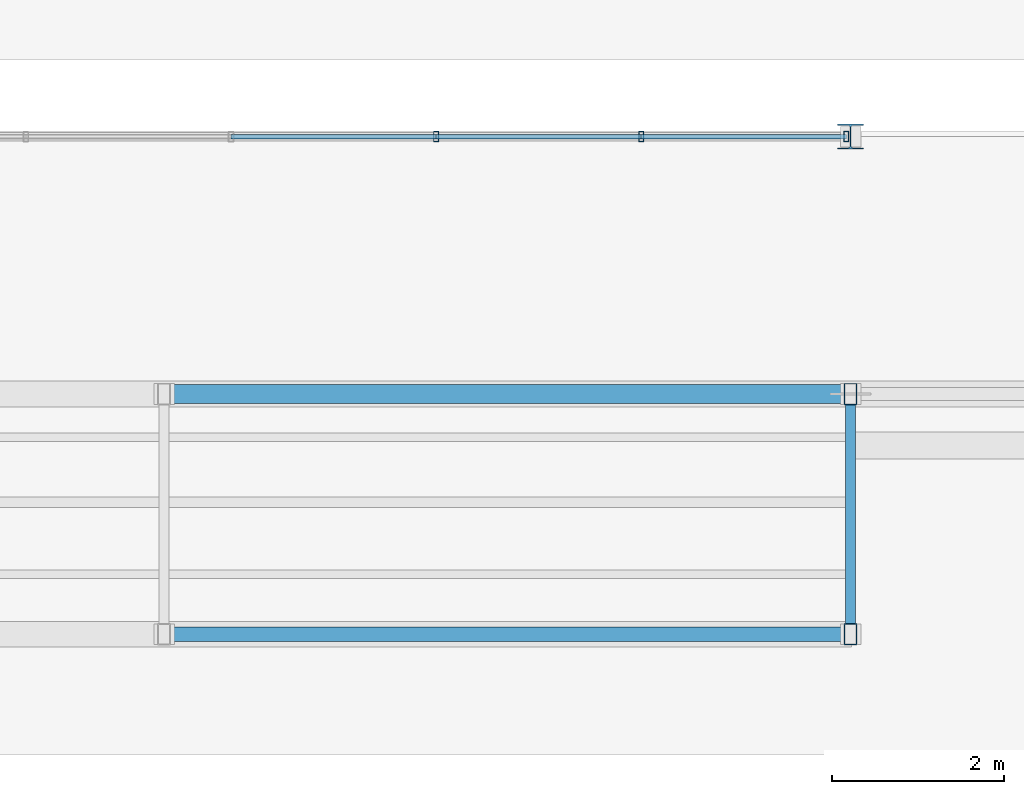
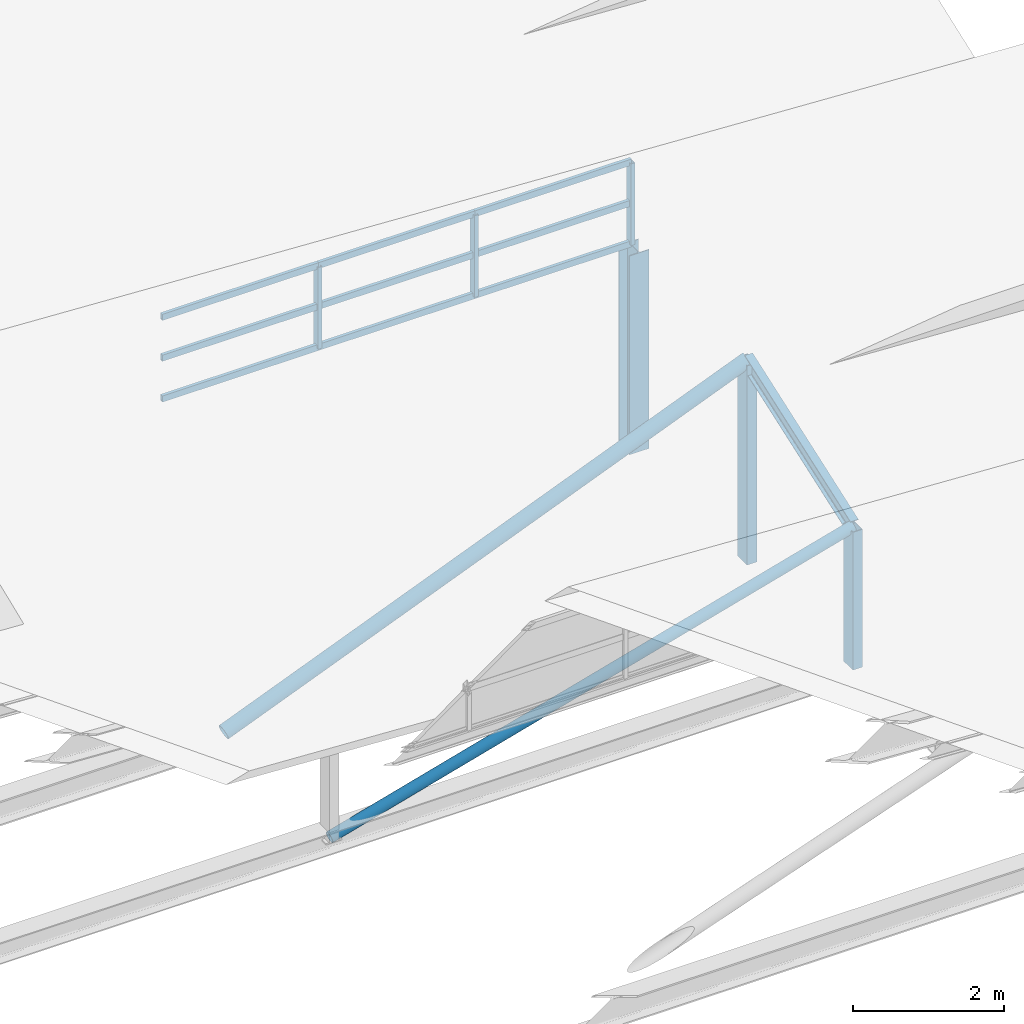
# One storey, part 68 of 141: 18 members, 1 element without a shape of its own.
"""IFC4 building model written with IfcOpenShell, lengths in metres."""

from ifc_helpers import new_model, si_unit, direction, frame, origin, origin_2d, place, context, subcontext, project, spatial, hollow_rectangle, hollow_circle, i_section, extrude, material, material_profile, profile_set, type_object, element, aggregate, save


model = new_model("IFC4")

# Units and contexts
model_context = context("Model", 3, precision=1e-05, world=origin(), true_north=direction((0.0, 1.0)))
body_context = subcontext(model_context, "Body", "Model", "MODEL_VIEW")
ifc_project = project(units=[si_unit("LENGTHUNIT", "METRE"), si_unit("AREAUNIT", "SQUARE_METRE"), si_unit("VOLUMEUNIT", "CUBIC_METRE"), si_unit("PLANEANGLEUNIT", "RADIAN"), si_unit("MASSUNIT", "GRAM", prefix="KILO")], contexts=[model_context])

# Site, building, storey
site_placement = place(None, origin())
site = spatial("IfcSite", under=ifc_project, at=site_placement, CompositionType="ELEMENT")
building_placement = place(site_placement, origin())
building = spatial("IfcBuilding", under=site, at=building_placement, Name="Sundkrona Museum", CompositionType="ELEMENT")
storey_placement = place(building_placement, frame((0.0, 0.0, 34.0)))
storey = spatial("IfcBuildingStorey", under=building, at=storey_placement, Name="RF", CompositionType="ELEMENT", Elevation=34.0)

# Member
ifc_material_1 = material(Name="Steel S355J2", Category="steel")
ifc_material_profile_1 = material_profile(ifc_material_1, i_section(OverallWidth=0.300048828125, OverallDepth=0.2900390625, WebThickness=0.008544921875, FlangeThickness=0.013916015625, FilletRadius=0.027099609375, at=origin_2d()), Name="HEA 300")
ifc_profile_set_1 = profile_set([ifc_material_profile_1], Name="Steel S355J2")
member_type_1 = type_object("IfcMemberType", Name="BR-HEA300", PredefinedType="BRACE", material=ifc_profile_set_1)
member_1_placement = place(storey_placement, frame((168.0, 18.39990234375, -0.25), z_axis=(0.0, 0.0, 1.0), x_axis=(1.0, 0.0, 0.0)))
element("IfcMember", 1, at=member_1_placement, inside=storey, type_object=member_type_1, Name="RFS-1 Sawtooth Bay 3 Clerestory Corner Post E", PredefinedType="BRACE", context=body_context, shape_type="SweptSolid", body=[
    extrude(i_section(OverallWidth=0.300048828125, OverallDepth=0.2900390625, WebThickness=0.008544921875, FlangeThickness=0.013916015625, FilletRadius=0.027099609375, at=origin_2d()), origin(), (0.0, 0.0, 1.0), 3.212890625),
])

# Curtain wall, members
ifc_material_2 = material(Name="Unitised Aluminium-Steel and Ceramic-Clad Curtain Walling", Category="steel")
curtain_wall_type = type_object("IfcCurtainWallType", Name="CW-SW-240x13", PredefinedType="NOTDEFINED", material=ifc_material_2)
curtain_wall_placement = place(storey_placement, origin())
curtain_wall = element("IfcCurtainWall", 2, at=curtain_wall_placement, inside=storey, type_object=curtain_wall_type, Name="Sawtooth Bay 3 East North-Light Clerestory", PredefinedType="NOTDEFINED")
ifc_material_3 = material(Name="Aluminium EN AW-6060 T66", Category="aluminium")
ifc_material_profile_2 = material_profile(ifc_material_3, hollow_rectangle(XDim=0.06005859375, YDim=0.1201171875, WallThickness=0.0048828125, at=origin_2d()), Name="RHS 120x60x5.0")
ifc_profile_set_2 = profile_set([ifc_material_profile_2], Name="Aluminium EN AW-6060 T66")
member_type_2 = type_object("IfcMemberType", Name="ML-120", PredefinedType="MULLION", material=ifc_profile_set_2)
member_2_placement = place(storey_placement, frame((163.169921875, 18.39990234375, 3.052978515625), z_axis=(0.0, 0.0, 1.0), x_axis=(1.0, 0.0, 0.0)))
member_2 = element("IfcMember", 3, at=member_2_placement, type_object=member_type_2, Name="CW-RF-SAW-03E Mullion 09", PredefinedType="MULLION", context=body_context, shape_type="SweptSolid", body=[
    extrude(hollow_rectangle(XDim=0.06005859375, YDim=0.1201171875, WallThickness=0.0048828125, at=origin_2d()), origin(), (0.0, 0.0, 1.0), 1.320068359375),
])
member_3_placement = place(storey_placement, frame((165.56005859375, 18.39990234375, 3.052978515625), z_axis=(0.0, 0.0, 1.0), x_axis=(1.0, 0.0, 0.0)))
member_3 = element("IfcMember", 4, at=member_3_placement, type_object=member_type_2, Name="CW-RF-SAW-03E Mullion 10", PredefinedType="MULLION", context=body_context, shape_type="SweptSolid", body=[
    extrude(hollow_rectangle(XDim=0.06005859375, YDim=0.1201171875, WallThickness=0.0048828125, at=origin_2d()), origin(), (0.0, 0.0, 1.0), 1.320068359375),
])
member_4_placement = place(storey_placement, frame((167.949951171875, 18.39990234375, 3.052978515625), z_axis=(0.0, 0.0, 1.0), x_axis=(1.0, 0.0, 0.0)))
member_4 = element("IfcMember", 5, at=member_4_placement, type_object=member_type_2, Name="CW-RF-SAW-03E Mullion 11", PredefinedType="MULLION", context=body_context, shape_type="SweptSolid", body=[
    extrude(hollow_rectangle(XDim=0.06005859375, YDim=0.1201171875, WallThickness=0.0048828125, at=origin_2d()), origin(), (0.0, 0.0, 1.0), 1.320068359375),
])

# Members
ifc_material_profile_3 = material_profile(ifc_material_1, i_section(OverallWidth=0.1201171875, OverallDepth=0.239990234375, WebThickness=0.006103515625, FlangeThickness=0.009765625, FilletRadius=0.014892578125, at=origin_2d()), Name="IPE 240")
ifc_profile_set_3 = profile_set([ifc_material_profile_3], Name="Steel S355J2")
member_type_3 = type_object("IfcMemberType", Name="PR-IPE240", PredefinedType="PURLIN", material=ifc_profile_set_3)
member_5_placement = place(storey_placement, frame((168.0, 12.60009765625, 1.976806640625), z_axis=(0.0, 0.942719886711, 0.333585394164), x_axis=(-1.0, 0.0, 0.0)))
element("IfcMember", 6, at=member_5_placement, inside=storey, type_object=member_type_3, Name="RFS-1 Sawtooth Bay 3 Transverse Rafter 7", PredefinedType="PURLIN", context=body_context, shape_type="SweptSolid", body=[
    extrude(i_section(OverallWidth=0.1201171875, OverallDepth=0.239990234375, WebThickness=0.006103515625, FlangeThickness=0.009765625, FilletRadius=0.014892578125, at=origin_2d()), origin(), (0.0, 0.0, 1.0), 2.969970703125),
])
ifc_material_profile_4 = material_profile(ifc_material_1, hollow_circle(Radius=0.084228515625, WallThickness=0.008056640625, at=origin_2d()), Name="CHS 168.3x8.0")
ifc_profile_set_4 = profile_set([ifc_material_profile_4], Name="Steel S355J2")
member_type_4 = type_object("IfcMemberType", Name="ST-CHS168", PredefinedType="STRUT", material=ifc_profile_set_4)
member_6_placement = place(storey_placement, frame((160.0, 12.60009765625, -0.25), z_axis=(0.963375407118, 0.0, 0.268156344248), x_axis=(0.0, 1.0, 0.0)))
element("IfcMember", 7, at=member_6_placement, inside=storey, type_object=member_type_4, Name="RFS-1 Sawtooth Valley Truss 3 Web Strut 6", PredefinedType="STRUT", context=body_context, shape_type="SweptSolid", body=[
    extrude(hollow_circle(Radius=0.084228515625, WallThickness=0.008056640625, at=origin_2d()), origin(), (0.0, 0.0, 1.0), 8.30419921875),
])
ifc_material_profile_5 = material_profile(ifc_material_1, hollow_circle(Radius=0.109619140625, WallThickness=0.010009765625, at=origin_2d()), Name="CHS 219.1x10.0")
ifc_profile_set_5 = profile_set([ifc_material_profile_5], Name="Steel S355J2")
member_type_5 = type_object("IfcMemberType", Name="ST-CHS219", PredefinedType="STRUT", material=ifc_profile_set_5)
member_7_placement = place(storey_placement, frame((160.0, 15.39990234375, -0.25), z_axis=(0.927774035814, 0.0, 0.373142517639), x_axis=(0.0, 1.0, 0.0)))
element("IfcMember", 8, at=member_7_placement, inside=storey, type_object=member_type_5, Name="RFS-1 Sawtooth Truss 3 Web Strut 6", PredefinedType="STRUT", context=body_context, shape_type="SweptSolid", body=[
    extrude(hollow_circle(Radius=0.109619140625, WallThickness=0.010009765625, at=origin_2d()), origin(), (0.0, 0.0, 1.0), 8.622802734375),
])
ifc_material_profile_6 = material_profile(ifc_material_1, hollow_rectangle(XDim=0.14990234375, YDim=0.25, WallThickness=0.010009765625, at=origin_2d()), Name="RHS 250x150x10.0")
ifc_profile_set_6 = profile_set([ifc_material_profile_6], Name="Steel S355J2")
member_type_6 = type_object("IfcMemberType", Name="ST-RHS250", PredefinedType="STRUT", material=ifc_profile_set_6)
member_8_placement = place(storey_placement, frame((168.0, 15.39990234375, -0.25), z_axis=(0.0, 0.0, 1.0), x_axis=(1.0, 0.0, 0.0)))
element("IfcMember", 9, at=member_8_placement, inside=storey, type_object=member_type_6, Name="RFS-1 Sawtooth Truss 3 Vertical Post 7", PredefinedType="STRUT", context=body_context, shape_type="SweptSolid", body=[
    extrude(hollow_rectangle(XDim=0.14990234375, YDim=0.25, WallThickness=0.010009765625, at=origin_2d()), origin(), (0.0, 0.0, 1.0), 3.217529296875),
])
member_9_placement = place(storey_placement, frame((168.0, 12.60009765625, -0.25), z_axis=(0.0, 0.0, 1.0), x_axis=(1.0, 0.0, 0.0)))
element("IfcMember", 10, at=member_9_placement, inside=storey, type_object=member_type_6, Name="RFS-1 Sawtooth Bay 3 Valley Post 7", PredefinedType="STRUT", context=body_context, shape_type="SweptSolid", body=[
    extrude(hollow_rectangle(XDim=0.14990234375, YDim=0.25, WallThickness=0.010009765625, at=origin_2d()), origin(), (0.0, 0.0, 1.0), 2.226806640625),
])

# Member
ifc_material_profile_7 = material_profile(ifc_material_3, hollow_rectangle(XDim=0.050048828125, YDim=0.10009765625, WallThickness=0.0048828125, at=origin_2d()), Name="RHS 100x50x5.0")
ifc_profile_set_7 = profile_set([ifc_material_profile_7], Name="Aluminium EN AW-6060 T66")
member_type_7 = type_object("IfcMemberType", Name="TR-100", PredefinedType="USERDEFINED", material=ifc_profile_set_7)
member_10_placement = place(storey_placement, frame((160.780029296875, 18.39990234375, 3.052978515625), z_axis=(1.0, 0.0, 0.0), x_axis=(0.0, 1.0, 0.0)))
member_10 = element("IfcMember", 11, at=member_10_placement, type_object=member_type_7, Name="CW-RF-SAW-03E Transom 22", ObjectType="TRANSOM", PredefinedType="USERDEFINED", context=body_context, shape_type="SweptSolid", body=[
    extrude(hollow_rectangle(XDim=0.050048828125, YDim=0.10009765625, WallThickness=0.0048828125, at=origin_2d()), origin(), (0.0, 0.0, 1.0), 2.389892578125),
])

member_11_placement = place(storey_placement, frame((160.780029296875, 18.39990234375, 3.712890625), z_axis=(1.0, 0.0, 0.0), x_axis=(0.0, 1.0, 0.0)))
member_11 = element("IfcMember", 12, at=member_11_placement, type_object=member_type_7, Name="CW-RF-SAW-03E Transom 23", ObjectType="TRANSOM", PredefinedType="USERDEFINED", context=body_context, shape_type="SweptSolid", body=[
    extrude(hollow_rectangle(XDim=0.050048828125, YDim=0.10009765625, WallThickness=0.0048828125, at=origin_2d()), origin(), (0.0, 0.0, 1.0), 2.389892578125),
])

member_12_placement = place(storey_placement, frame((160.780029296875, 18.39990234375, 4.373046875), z_axis=(1.0, 0.0, 0.0), x_axis=(0.0, 1.0, 0.0)))
member_12 = element("IfcMember", 13, at=member_12_placement, type_object=member_type_7, Name="CW-RF-SAW-03E Transom 24", ObjectType="TRANSOM", PredefinedType="USERDEFINED", context=body_context, shape_type="SweptSolid", body=[
    extrude(hollow_rectangle(XDim=0.050048828125, YDim=0.10009765625, WallThickness=0.0048828125, at=origin_2d()), origin(), (0.0, 0.0, 1.0), 2.389892578125),
])

member_13_placement = place(storey_placement, frame((163.169921875, 18.39990234375, 3.052978515625), z_axis=(1.0, 0.0, 0.0), x_axis=(0.0, 1.0, 0.0)))
member_13 = element("IfcMember", 14, at=member_13_placement, type_object=member_type_7, Name="CW-RF-SAW-03E Transom 25", ObjectType="TRANSOM", PredefinedType="USERDEFINED", context=body_context, shape_type="SweptSolid", body=[
    extrude(hollow_rectangle(XDim=0.050048828125, YDim=0.10009765625, WallThickness=0.0048828125, at=origin_2d()), origin(), (0.0, 0.0, 1.0), 2.39013671875),
])

member_14_placement = place(storey_placement, frame((163.169921875, 18.39990234375, 3.712890625), z_axis=(1.0, 0.0, 0.0), x_axis=(0.0, 1.0, 0.0)))
member_14 = element("IfcMember", 15, at=member_14_placement, type_object=member_type_7, Name="CW-RF-SAW-03E Transom 26", ObjectType="TRANSOM", PredefinedType="USERDEFINED", context=body_context, shape_type="SweptSolid", body=[
    extrude(hollow_rectangle(XDim=0.050048828125, YDim=0.10009765625, WallThickness=0.0048828125, at=origin_2d()), origin(), (0.0, 0.0, 1.0), 2.39013671875),
])

member_15_placement = place(storey_placement, frame((163.169921875, 18.39990234375, 4.373046875), z_axis=(1.0, 0.0, 0.0), x_axis=(0.0, 1.0, 0.0)))
member_15 = element("IfcMember", 16, at=member_15_placement, type_object=member_type_7, Name="CW-RF-SAW-03E Transom 27", ObjectType="TRANSOM", PredefinedType="USERDEFINED", context=body_context, shape_type="SweptSolid", body=[
    extrude(hollow_rectangle(XDim=0.050048828125, YDim=0.10009765625, WallThickness=0.0048828125, at=origin_2d()), origin(), (0.0, 0.0, 1.0), 2.39013671875),
])

member_16_placement = place(storey_placement, frame((165.56005859375, 18.39990234375, 3.052978515625), z_axis=(1.0, 0.0, 0.0), x_axis=(0.0, 1.0, 0.0)))
member_16 = element("IfcMember", 17, at=member_16_placement, type_object=member_type_7, Name="CW-RF-SAW-03E Transom 28", ObjectType="TRANSOM", PredefinedType="USERDEFINED", context=body_context, shape_type="SweptSolid", body=[
    extrude(hollow_rectangle(XDim=0.050048828125, YDim=0.10009765625, WallThickness=0.0048828125, at=origin_2d()), origin(), (0.0, 0.0, 1.0), 2.389892578125),
])

member_17_placement = place(storey_placement, frame((165.56005859375, 18.39990234375, 3.712890625), z_axis=(1.0, 0.0, 0.0), x_axis=(0.0, 1.0, 0.0)))
member_17 = element("IfcMember", 18, at=member_17_placement, type_object=member_type_7, Name="CW-RF-SAW-03E Transom 29", ObjectType="TRANSOM", PredefinedType="USERDEFINED", context=body_context, shape_type="SweptSolid", body=[
    extrude(hollow_rectangle(XDim=0.050048828125, YDim=0.10009765625, WallThickness=0.0048828125, at=origin_2d()), origin(), (0.0, 0.0, 1.0), 2.389892578125),
])

member_18_placement = place(storey_placement, frame((165.56005859375, 18.39990234375, 4.373046875), z_axis=(1.0, 0.0, 0.0), x_axis=(0.0, 1.0, 0.0)))
member_18 = element("IfcMember", 19, at=member_18_placement, type_object=member_type_7, Name="CW-RF-SAW-03E Transom 30", ObjectType="TRANSOM", PredefinedType="USERDEFINED", context=body_context, shape_type="SweptSolid", body=[
    extrude(hollow_rectangle(XDim=0.050048828125, YDim=0.10009765625, WallThickness=0.0048828125, at=origin_2d()), origin(), (0.0, 0.0, 1.0), 2.389892578125),
])

aggregate(curtain_wall, [member_2, member_3, member_4, member_10, member_11, member_12, member_13, member_14, member_15, member_16, member_17, member_18])

save(model, "model.ifc")
